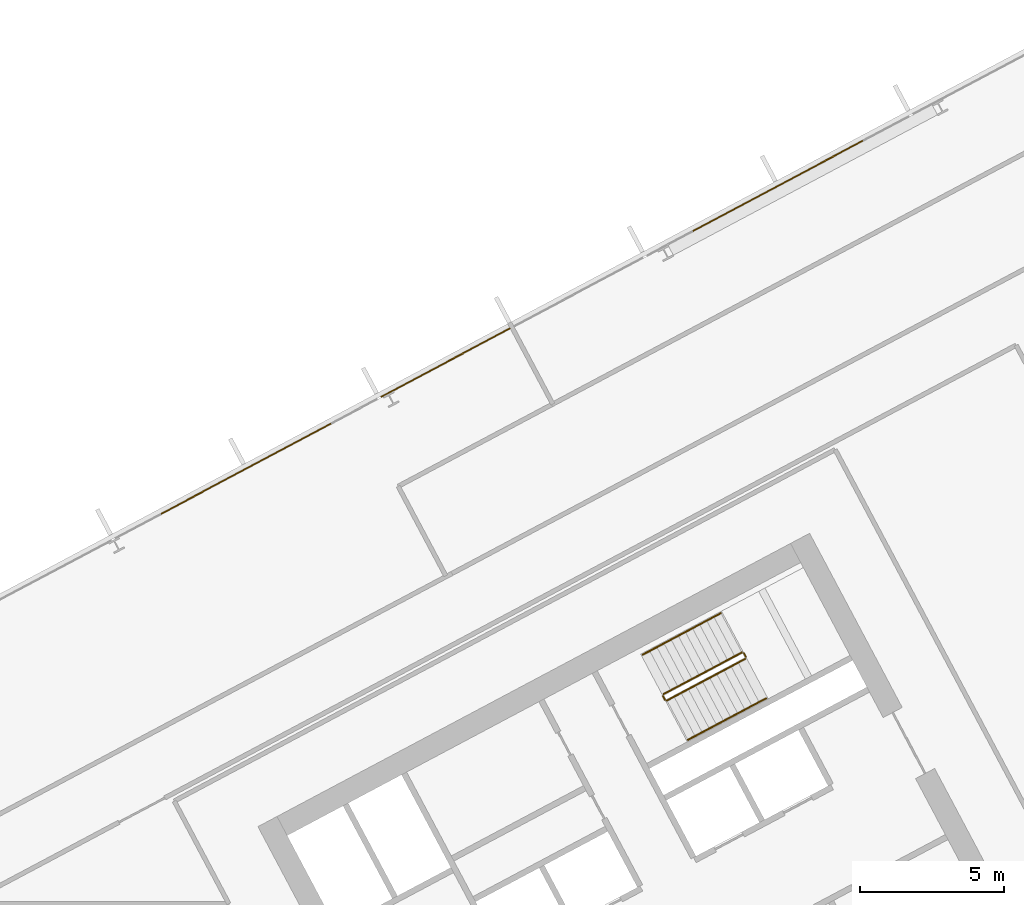
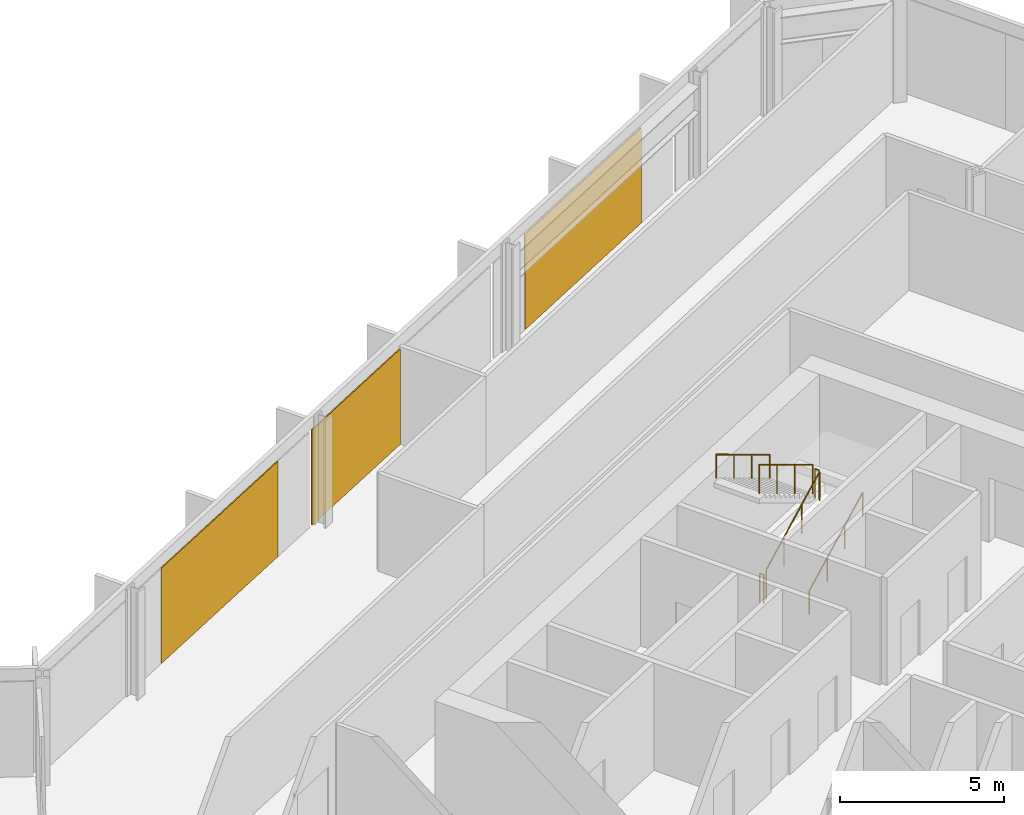
# One storey, part 27 of 28: 6 railings, 3 coverings, 1 element without a shape of its own.
"""IFC4 building model written with IfcOpenShell, lengths in metres."""

from ifc_helpers import new_model, si_unit, direction, frame, origin, origin_2d, place, context, subcontext, project, spatial, polyline, rectangle, outline, extrude, material, layer, layer_set, type_object, element, aggregate, save


model = new_model("IFC4")

# Units and contexts
model_context = context("Model", 3, precision=1e-05, world=origin(), true_north=direction((0.0, 1.0)))
body_context = subcontext(model_context, "Body", "Model", "MODEL_VIEW")
ifc_project = project(units=[si_unit("LENGTHUNIT", "METRE"), si_unit("AREAUNIT", "SQUARE_METRE"), si_unit("VOLUMEUNIT", "CUBIC_METRE"), si_unit("PLANEANGLEUNIT", "RADIAN"), si_unit("MASSUNIT", "GRAM", prefix="KILO")], contexts=[model_context])

# Site, building, storey
site_placement = place(None, origin())
site = spatial("IfcSite", under=ifc_project, at=site_placement, CompositionType="ELEMENT")
building_placement = place(site_placement, origin())
building = spatial("IfcBuilding", under=site, at=building_placement, Name="Cormorant Relay Tower", CompositionType="ELEMENT")
storey_placement = place(building_placement, frame((0.0, 0.0, 158.199951171875)))
storey = spatial("IfcBuildingStorey", under=building, at=storey_placement, Name="L33", CompositionType="ELEMENT", Elevation=158.199951171875)

# Curtain wall, coverings
ifc_material_1 = material(Name="Aluminium 6063-T6 anodised bronze", Category="aluminium")
ifc_layer_1 = layer(ifc_material_1, 0.199951171875)
ifc_layer_set_1 = layer_set([ifc_layer_1], Name="CW1 unitised bronze curtain wall with vertical fins")
curtain_wall_type = type_object("IfcCurtainWallType", Name="CW1 unitised bronze curtain wall with vertical fins", PredefinedType="NOTDEFINED", material=ifc_layer_set_1)
curtain_wall_placement = place(storey_placement, origin())
curtain_wall = element("IfcCurtainWall", 1, at=curtain_wall_placement, inside=storey, type_object=curtain_wall_type, Name="CW1 curtain wall 8", PredefinedType="NOTDEFINED")
ifc_material_2 = material(Name="Pale bronze anodised aluminium insulated panel", Category="aluminium")
ifc_layer_2 = layer(ifc_material_2, 0.0400390625)
ifc_layer_set_2 = layer_set([ifc_layer_2], Name="CW1 pale bronze insulated panel 40")
covering_type = type_object("IfcCoveringType", Name="CW1 pale bronze insulated panel 40", PredefinedType="CLADDING", material=ifc_layer_set_2)
covering_1_placement = place(storey_placement, frame((27.693603515625, 38.531494140625, 0.0), z_axis=(0.0, 0.0, 1.0), x_axis=(-0.882947592859, -0.469471562786, 0.0)))
covering_1 = element("IfcCovering", 2, at=covering_1_placement, type_object=covering_type, Name="CW1 panel S02", PredefinedType="CLADDING", context=body_context, shape_type="SweptSolid", body=[
    extrude(rectangle(XDim=6.70849609375, YDim=0.0400390625, at=origin_2d()), origin(), (0.0, 0.0, 1.0), 3.550048828125),
])
covering_2_placement = place(storey_placement, frame((16.150634765625, 32.39404296875, 0.0), z_axis=(0.0, 0.0, 1.0), x_axis=(-0.882947592859, -0.469471562786, 0.0)))
covering_2 = element("IfcCovering", 3, at=covering_2_placement, type_object=covering_type, Name="CW1 panel S05", PredefinedType="CLADDING", context=body_context, shape_type="SweptSolid", body=[
    extrude(rectangle(XDim=5.079345703125, YDim=0.0400390625, at=origin_2d()), origin(), (0.0, 0.0, 1.0), 3.550048828125),
])
covering_3_placement = place(storey_placement, frame((9.224853515625, 28.711669921875, 0.0), z_axis=(0.0, 0.0, 1.0), x_axis=(-0.882947592859, -0.469471562786, 0.0)))
covering_3 = element("IfcCovering", 4, at=covering_3_placement, type_object=covering_type, Name="CW1 panel S07", PredefinedType="CLADDING", context=body_context, shape_type="SweptSolid", body=[
    extrude(rectangle(XDim=6.70849609375, YDim=0.0400390625, at=origin_2d()), origin(), (0.0, 0.0, 1.0), 3.550048828125),
])
aggregate(curtain_wall, [covering_1, covering_2, covering_3])

# Railings
ifc_material_3 = material(Name="Steel ASTM A572 Grade 50 (Fy 345 MPa)", Category="steel")
railing_type_1 = type_object("IfcRailingType", Name="Stair guard 1100", PredefinedType="GUARDRAIL", material=ifc_material_3)
railing_1_placement = place(storey_placement, frame((23.8408203125, 20.6611328125, 0.166748046875)))
element("IfcRailing", 5, at=railing_1_placement, inside=storey, type_object=railing_type_1, Name="L33 B2 stair guard 1", PredefinedType="GUARDRAIL", context=body_context, shape_type="SweptSolid", body=[
    extrude(outline(polyline([(0.022216796875, 0.00927734375), (0.00927734375, 0.022216796875), (-0.00927734375, 0.022216796875), (-0.022216796875, 0.00927734375), (-0.022216796875, -0.00927734375), (-0.00927734375, -0.022216796875), (0.00927734375, -0.022216796875), (0.022216796875, -0.00927734375), (0.022216796875, 0.00927734375)])), frame((0.0, 0.0, 1.076171875), z_axis=(0.758734504837, 0.403377838015, 0.511476559549), x_axis=(-0.469427602063, 0.882970965786, 0.0)), (0.0, 0.0, 1.0), 3.584228515625),
    extrude(outline(polyline([(0.019287109375, 0.008056640625), (0.008056640625, 0.019287109375), (-0.008056640625, 0.019287109375), (-0.019287109375, 0.008056640625), (-0.019287109375, -0.008056640625), (-0.008056640625, -0.019287109375), (0.008056640625, -0.019287109375), (0.019287109375, -0.008056640625), (0.019287109375, 0.008056640625)])), origin(), (0.0, 0.0, 1.0), 1.052001953125),
    extrude(outline(polyline([(0.019287109375, 0.008056640625), (0.008056640625, 0.019287109375), (-0.008056640625, 0.019287109375), (-0.019287109375, 0.008056640625), (-0.019287109375, -0.008056640625), (-0.008056640625, -0.019287109375), (0.008056640625, -0.019287109375), (0.019287109375, -0.008056640625), (0.019287109375, 0.008056640625)])), frame((0.906494140625, 0.48193359375, 0.611083984375)), (0.0, 0.0, 1.0), 1.052001953125),
    extrude(outline(polyline([(0.019287109375, 0.008056640625), (0.008056640625, 0.019287109375), (-0.008056640625, 0.019287109375), (-0.019287109375, 0.008056640625), (-0.019287109375, -0.008056640625), (-0.008056640625, -0.019287109375), (0.008056640625, -0.019287109375), (0.019287109375, -0.008056640625), (0.019287109375, 0.008056640625)])), frame((1.81298828125, 0.9638671875, 1.22216796875)), (0.0, 0.0, 1.0), 1.052001953125),
    extrude(outline(polyline([(0.019287109375, 0.008056640625), (0.008056640625, 0.019287109375), (-0.008056640625, 0.019287109375), (-0.019287109375, 0.008056640625), (-0.019287109375, -0.008056640625), (-0.008056640625, -0.019287109375), (0.008056640625, -0.019287109375), (0.019287109375, -0.008056640625), (0.019287109375, 0.008056640625)])), frame((2.719482421875, 1.44580078125, 1.833251953125)), (0.0, 0.0, 1.0), 1.052001953125),
])
railing_2_placement = place(storey_placement, frame((26.5810546875, 22.174560546875, 2.0)))
element("IfcRailing", 6, at=railing_2_placement, inside=storey, type_object=railing_type_1, Name="L33 B2 stair guard 2", PredefinedType="GUARDRAIL", context=body_context, shape_type="SweptSolid", body=[
    extrude(outline(polyline([(0.022216796875, 0.00927734375), (0.00927734375, 0.022216796875), (-0.00927734375, 0.022216796875), (-0.022216796875, 0.00927734375), (-0.022216796875, -0.00927734375), (-0.00927734375, -0.022216796875), (0.00927734375, -0.022216796875), (0.022216796875, -0.00927734375), (0.022216796875, 0.00927734375)])), frame((0.0, 0.0, 1.076171875), z_axis=(-0.469828648786, 0.882757634224, 0.0), x_axis=(-0.882757634224, -0.469828648786, 0.0)), (0.0, 0.0, 1.0), 0.150146484375),
    extrude(outline(polyline([(0.019287109375, 0.008056640625), (0.008056640625, 0.019287109375), (-0.008056640625, 0.019287109375), (-0.019287109375, 0.008056640625), (-0.019287109375, -0.008056640625), (-0.008056640625, -0.019287109375), (0.008056640625, -0.019287109375), (0.019287109375, -0.008056640625), (0.019287109375, 0.008056640625)])), origin(), (0.0, 0.0, 1.0), 1.052001953125),
    extrude(outline(polyline([(0.019287109375, 0.008056640625), (0.008056640625, 0.019287109375), (-0.008056640625, 0.019287109375), (-0.019287109375, 0.008056640625), (-0.019287109375, -0.008056640625), (-0.008056640625, -0.019287109375), (0.008056640625, -0.019287109375), (0.019287109375, -0.008056640625), (0.019287109375, 0.008056640625)])), frame((-0.070556640625, 0.132568359375, 0.0)), (0.0, 0.0, 1.0), 1.052001953125),
])
railing_3_placement = place(storey_placement, frame((26.44287109375, 22.32763671875, 2.166748046875)))
element("IfcRailing", 7, at=railing_3_placement, inside=storey, type_object=railing_type_1, Name="L33 B2 stair guard 3", PredefinedType="GUARDRAIL", context=body_context, shape_type="SweptSolid", body=[
    extrude(outline(polyline([(0.022216796875, 0.00927734375), (0.00927734375, 0.022216796875), (-0.00927734375, 0.022216796875), (-0.022216796875, 0.00927734375), (-0.022216796875, -0.00927734375), (-0.00927734375, -0.022216796875), (0.00927734375, -0.022216796875), (0.022216796875, -0.00927734375), (0.022216796875, 0.00927734375)])), frame((0.0, 0.0, 1.076171875), z_axis=(-0.758734504837, -0.403377838015, 0.511476559549), x_axis=(0.469427602063, -0.882970965786, 0.0)), (0.0, 0.0, 1.0), 3.584228515625),
    extrude(outline(polyline([(0.019287109375, 0.008056640625), (0.008056640625, 0.019287109375), (-0.008056640625, 0.019287109375), (-0.019287109375, 0.008056640625), (-0.019287109375, -0.008056640625), (-0.008056640625, -0.019287109375), (0.008056640625, -0.019287109375), (0.019287109375, -0.008056640625), (0.019287109375, 0.008056640625)])), origin(), (0.0, 0.0, 1.0), 1.052001953125),
    extrude(outline(polyline([(0.019287109375, 0.008056640625), (0.008056640625, 0.019287109375), (-0.008056640625, 0.019287109375), (-0.019287109375, 0.008056640625), (-0.019287109375, -0.008056640625), (-0.008056640625, -0.019287109375), (0.008056640625, -0.019287109375), (0.019287109375, -0.008056640625), (0.019287109375, 0.008056640625)])), frame((-0.906494140625, -0.48193359375, 0.611083984375)), (0.0, 0.0, 1.0), 1.052001953125),
    extrude(outline(polyline([(0.019287109375, 0.008056640625), (0.008056640625, 0.019287109375), (-0.008056640625, 0.019287109375), (-0.019287109375, 0.008056640625), (-0.019287109375, -0.008056640625), (-0.008056640625, -0.019287109375), (0.008056640625, -0.019287109375), (0.019287109375, -0.008056640625), (0.019287109375, 0.008056640625)])), frame((-1.81298828125, -0.9638671875, 1.22216796875)), (0.0, 0.0, 1.0), 1.052001953125),
    extrude(outline(polyline([(0.019287109375, 0.008056640625), (0.008056640625, 0.019287109375), (-0.008056640625, 0.019287109375), (-0.019287109375, 0.008056640625), (-0.019287109375, -0.008056640625), (-0.008056640625, -0.019287109375), (0.008056640625, -0.019287109375), (0.019287109375, -0.008056640625), (0.019287109375, 0.008056640625)])), frame((-2.719482421875, -1.44580078125, 1.833251953125)), (0.0, 0.0, 1.0), 1.052001953125),
])
railing_4_placement = place(storey_placement, frame((23.773193359375, 20.681640625, 0.0)))
element("IfcRailing", 8, at=railing_4_placement, inside=storey, type_object=railing_type_1, Name="L33 B2 stair guard 4", PredefinedType="GUARDRAIL", context=body_context, shape_type="SweptSolid", body=[
    extrude(outline(polyline([(0.022216796875, 0.00927734375), (0.00927734375, 0.022216796875), (-0.00927734375, 0.022216796875), (-0.022216796875, 0.00927734375), (-0.022216796875, -0.00927734375), (-0.00927734375, -0.022216796875), (0.00927734375, -0.022216796875), (0.022216796875, -0.00927734375), (0.022216796875, 0.00927734375)])), frame((0.0, 0.0, 1.076171875), z_axis=(-0.46856034887, 0.8834314911, 0.0), x_axis=(-0.8834314911, -0.46856034887, 0.0)), (0.0, 0.0, 1.0), 0.150146484375),
    extrude(outline(polyline([(0.019287109375, 0.008056640625), (0.008056640625, 0.019287109375), (-0.008056640625, 0.019287109375), (-0.019287109375, 0.008056640625), (-0.019287109375, -0.008056640625), (-0.008056640625, -0.019287109375), (0.008056640625, -0.019287109375), (0.019287109375, -0.008056640625), (0.019287109375, 0.008056640625)])), origin(), (0.0, 0.0, 1.0), 1.052001953125),
    extrude(outline(polyline([(0.019287109375, 0.008056640625), (0.008056640625, 0.019287109375), (-0.008056640625, 0.019287109375), (-0.019287109375, 0.008056640625), (-0.019287109375, -0.008056640625), (-0.008056640625, -0.019287109375), (0.008056640625, -0.019287109375), (0.019287109375, -0.008056640625), (0.019287109375, 0.008056640625)])), frame((-0.0703125, 0.132568359375, 0.0)), (0.0, 0.0, 1.0), 1.052001953125),
])
ifc_material_4 = material(Name="Steel ASTM A572 Grade 50 (Fy 345 MPa)", Category="steel")
railing_type_2 = type_object("IfcRailingType", Name="Stair handrail 900", PredefinedType="HANDRAIL", material=ifc_material_4)
railing_5_placement = place(storey_placement, frame((24.568603515625, 19.29248046875, 0.166748046875)))
element("IfcRailing", 9, at=railing_5_placement, inside=storey, type_object=railing_type_2, Name="L33 B2 stair handrail 1", PredefinedType="HANDRAIL", context=body_context, shape_type="SweptSolid", body=[
    extrude(outline(polyline([(0.022216796875, 0.00927734375), (0.00927734375, 0.022216796875), (-0.00927734375, 0.022216796875), (-0.022216796875, 0.00927734375), (-0.022216796875, -0.00927734375), (-0.00927734375, -0.022216796875), (0.00927734375, -0.022216796875), (0.022216796875, -0.00927734375), (0.022216796875, 0.00927734375)])), frame((0.0, 0.0, 0.8759765625), z_axis=(0.758713656843, 0.403434867536, 0.511462505542), x_axis=(-0.469489399267, 0.882938108802, 0.0)), (0.0, 0.0, 1.0), 3.584228515625),
    extrude(outline(polyline([(0.019287109375, 0.008056640625), (0.008056640625, 0.019287109375), (-0.008056640625, 0.019287109375), (-0.019287109375, 0.008056640625), (-0.019287109375, -0.008056640625), (-0.008056640625, -0.019287109375), (0.008056640625, -0.019287109375), (0.019287109375, -0.008056640625), (0.019287109375, 0.008056640625)])), origin(), (0.0, 0.0, 1.0), 0.851806640625),
    extrude(outline(polyline([(0.019287109375, 0.008056640625), (0.008056640625, 0.019287109375), (-0.008056640625, 0.019287109375), (-0.019287109375, 0.008056640625), (-0.019287109375, -0.008056640625), (-0.008056640625, -0.019287109375), (0.008056640625, -0.019287109375), (0.019287109375, -0.008056640625), (0.019287109375, 0.008056640625)])), frame((0.906494140625, 0.48193359375, 0.611083984375)), (0.0, 0.0, 1.0), 0.851806640625),
    extrude(outline(polyline([(0.019287109375, 0.008056640625), (0.008056640625, 0.019287109375), (-0.008056640625, 0.019287109375), (-0.019287109375, 0.008056640625), (-0.019287109375, -0.008056640625), (-0.008056640625, -0.019287109375), (0.008056640625, -0.019287109375), (0.019287109375, -0.008056640625), (0.019287109375, 0.008056640625)])), frame((1.81298828125, 0.964111328125, 1.22216796875)), (0.0, 0.0, 1.0), 0.851806640625),
    extrude(outline(polyline([(0.019287109375, 0.008056640625), (0.008056640625, 0.019287109375), (-0.008056640625, 0.019287109375), (-0.019287109375, 0.008056640625), (-0.019287109375, -0.008056640625), (-0.008056640625, -0.019287109375), (0.008056640625, -0.019287109375), (0.019287109375, -0.008056640625), (0.019287109375, 0.008056640625)])), frame((2.719482421875, 1.446044921875, 1.833251953125)), (0.0, 0.0, 1.0), 0.851806640625),
])
railing_6_placement = place(storey_placement, frame((25.71533203125, 23.6962890625, 2.166748046875)))
element("IfcRailing", 10, at=railing_6_placement, inside=storey, type_object=railing_type_2, Name="L33 B2 stair handrail 2", PredefinedType="HANDRAIL", context=body_context, shape_type="SweptSolid", body=[
    extrude(outline(polyline([(0.022216796875, 0.00927734375), (0.00927734375, 0.022216796875), (-0.00927734375, 0.022216796875), (-0.022216796875, 0.00927734375), (-0.022216796875, -0.00927734375), (-0.00927734375, -0.022216796875), (0.00927734375, -0.022216796875), (0.022216796875, -0.00927734375), (0.022216796875, 0.00927734375)])), frame((0.0, 0.0, 0.8759765625), z_axis=(-0.758713656843, -0.403434867536, 0.511462505542), x_axis=(0.469489399267, -0.882938108802, 0.0)), (0.0, 0.0, 1.0), 3.584228515625),
    extrude(outline(polyline([(0.019287109375, 0.008056640625), (0.008056640625, 0.019287109375), (-0.008056640625, 0.019287109375), (-0.019287109375, 0.008056640625), (-0.019287109375, -0.008056640625), (-0.008056640625, -0.019287109375), (0.008056640625, -0.019287109375), (0.019287109375, -0.008056640625), (0.019287109375, 0.008056640625)])), origin(), (0.0, 0.0, 1.0), 0.851806640625),
    extrude(outline(polyline([(0.019287109375, 0.008056640625), (0.008056640625, 0.019287109375), (-0.008056640625, 0.019287109375), (-0.019287109375, 0.008056640625), (-0.019287109375, -0.008056640625), (-0.008056640625, -0.019287109375), (0.008056640625, -0.019287109375), (0.019287109375, -0.008056640625), (0.019287109375, 0.008056640625)])), frame((-0.906494140625, -0.48193359375, 0.611083984375)), (0.0, 0.0, 1.0), 0.851806640625),
    extrude(outline(polyline([(0.019287109375, 0.008056640625), (0.008056640625, 0.019287109375), (-0.008056640625, 0.019287109375), (-0.019287109375, 0.008056640625), (-0.019287109375, -0.008056640625), (-0.008056640625, -0.019287109375), (0.008056640625, -0.019287109375), (0.019287109375, -0.008056640625), (0.019287109375, 0.008056640625)])), frame((-1.81298828125, -0.964111328125, 1.22216796875)), (0.0, 0.0, 1.0), 0.851806640625),
    extrude(outline(polyline([(0.019287109375, 0.008056640625), (0.008056640625, 0.019287109375), (-0.008056640625, 0.019287109375), (-0.019287109375, 0.008056640625), (-0.019287109375, -0.008056640625), (-0.008056640625, -0.019287109375), (0.008056640625, -0.019287109375), (0.019287109375, -0.008056640625), (0.019287109375, 0.008056640625)])), frame((-2.719482421875, -1.446044921875, 1.833251953125)), (0.0, 0.0, 1.0), 0.851806640625),
])

save(model, "model.ifc")
